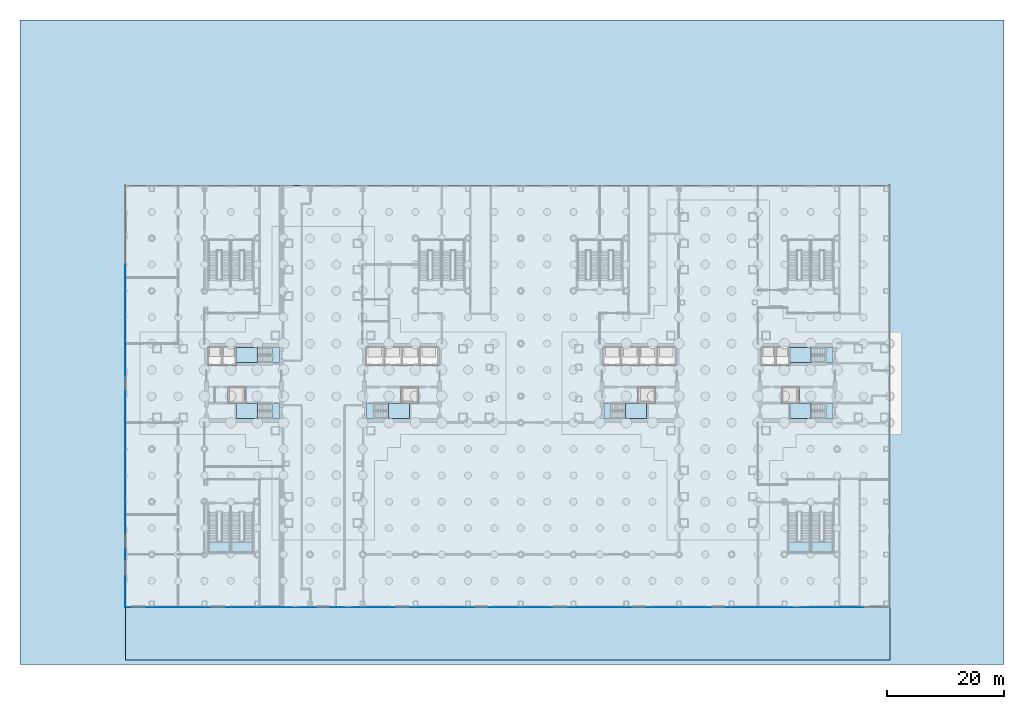
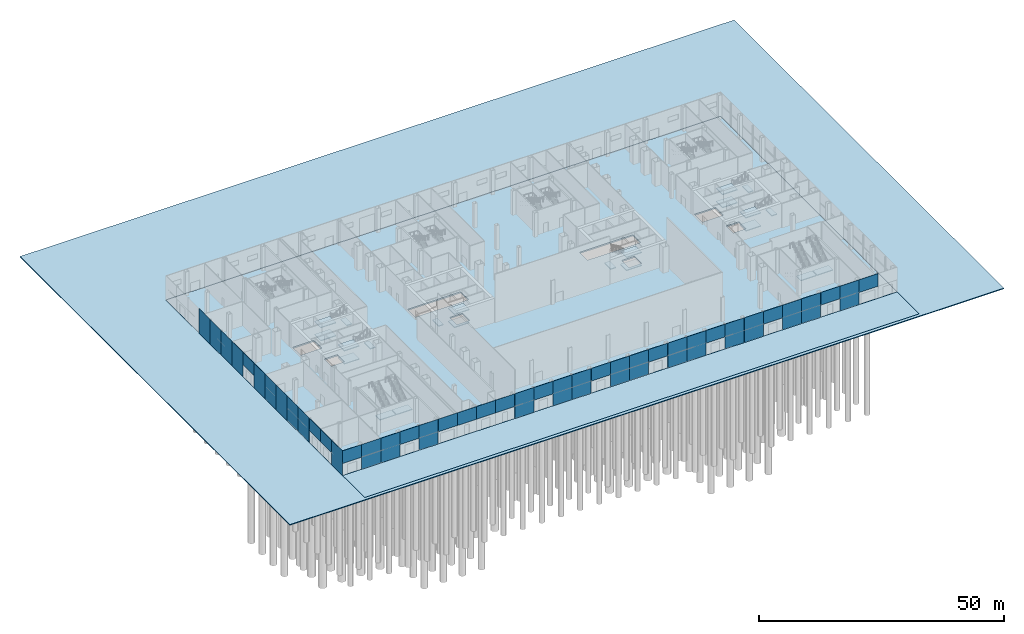
# One storey, part 15 of 37: 41 plates, 25 slabs, 12 elements without a shape of their own.
"""IFC4 building model written with IfcOpenShell, lengths in metres."""

import ifcopenshell
import ifcopenshell.guid

model = None  # the IFC model being written
_history = None  # IfcOwnerHistory: only IFC2X3 demands one
_inside = {}  # id of a spatial element -> (the spatial element, [elements in it])
_under = {}  # id of a project, library or spatial element -> (it, [spatial elements below it])
_declared = {}  # id of a project -> (the project, [libraries it declares])
_typed = {}  # id of a type object -> (the type object, [elements of that type])
_made_of = {}  # id of a material, layer set ... -> (it, [elements and type objects made of it])


def new_model(schema):
    """Start an empty IFC model of exactly this schema.

    Asked for "IFC4X3", IfcOpenShell would pick the latest addendum, in which some entities
    have other attributes; the version numbers below select the first issue.
    IFC2X3 requires an IfcOwnerHistory on every rooted entity: one is made here for all.
    """
    global model, _history
    if schema == "IFC4X3":
        model = ifcopenshell.file(schema_version=(4, 3, 0, 0))
    else:
        model = ifcopenshell.file(schema=schema)
    _inside.clear()
    _under.clear()
    _declared.clear()
    _typed.clear()
    _made_of.clear()
    _history = None
    if model.schema == "IFC2X3":
        org = make("IfcOrganization", Name="unknown")
        user = make(
            "IfcPersonAndOrganization",
            ThePerson=make("IfcPerson", FamilyName="unknown"),
            TheOrganization=org,
        )
        app = make(
            "IfcApplication",
            ApplicationDeveloper=org,
            Version="unknown",
            ApplicationFullName="unknown",
            ApplicationIdentifier="unknown",
        )
        _history = make(
            "IfcOwnerHistory",
            OwningUser=user,
            OwningApplication=app,
            ChangeAction="ADDED",
            CreationDate=0,
        )
    return model


def make(cls, **values):
    """One entity of the class cls with the attributes given. An attribute that is None is left unset."""
    return model.create_entity(
        cls, **{name: value for name, value in values.items() if value is not None}
    )


def rooted(cls, **values):
    """An entity with a GlobalId (a new one), such as an element, a storey or a relation."""
    return make(cls, GlobalId=ifcopenshell.guid.new(), OwnerHistory=_history, **values)


def si_unit(unit_type, name, prefix=None):
    """IfcSIUnit, for example si_unit("LENGTHUNIT", "METRE", prefix="MILLI")."""
    return make("IfcSIUnit", UnitType=unit_type, Prefix=prefix, Name=name)


def assignment(units):
    """IfcUnitAssignment: the units of a project."""
    return None if units is None else make("IfcUnitAssignment", Units=units)


def point(xyz):
    """IfcCartesianPoint."""
    return None if xyz is None else make("IfcCartesianPoint", Coordinates=xyz)


def direction(xyz):
    """IfcDirection."""
    return None if xyz is None else make("IfcDirection", DirectionRatios=xyz)


def frame(location, z_axis=None, x_axis=None):
    """IfcAxis2Placement3D, a coordinate frame: its origin and axes. An axis left out is left unset."""
    return make(
        "IfcAxis2Placement3D",
        Location=point(location),
        Axis=direction(z_axis),
        RefDirection=direction(x_axis),
    )


def frame_2d(location, x_axis=None):
    """IfcAxis2Placement2D, a coordinate frame in the plane: its origin and x axis."""
    return make(
        "IfcAxis2Placement2D", Location=point(location), RefDirection=direction(x_axis)
    )


def origin():
    """The frame at (0, 0, 0) with its axes left unset."""
    return frame((0.0, 0.0, 0.0))


def origin_2d():
    """The frame at (0, 0) in the plane with its x axis left unset."""
    return frame_2d((0.0, 0.0))


def place(relative_to, where):
    """IfcLocalPlacement: puts the frame where relative to a parent placement (None: the world)."""
    return make(
        "IfcLocalPlacement", PlacementRelTo=relative_to, RelativePlacement=where
    )


def context(
    kind, dimensions, precision=None, world=None, true_north=None, identifier=None
):
    """IfcGeometricRepresentationContext, for example the 3D "Model" context."""
    return make(
        "IfcGeometricRepresentationContext",
        ContextIdentifier=identifier,
        ContextType=kind,
        CoordinateSpaceDimension=dimensions,
        Precision=precision,
        WorldCoordinateSystem=world,
        TrueNorth=true_north,
    )


def subcontext(parent, identifier, kind, view, scale=None):
    """IfcGeometricRepresentationSubContext, for example "Body" below "Model"."""
    return make(
        "IfcGeometricRepresentationSubContext",
        ContextIdentifier=identifier,
        ContextType=kind,
        ParentContext=parent,
        TargetScale=scale,
        TargetView=view,
    )


def project(units=None, contexts=None):
    """IfcProject with its units and contexts."""
    return rooted(
        "IfcProject",
        Name="project",
        RepresentationContexts=contexts,
        UnitsInContext=assignment(units),
    )


def spatial(cls, under=None, at=None, **own):
    """A site, building, storey or space (cls), placed at a placement, below another one or the project."""
    s = rooted(cls, ObjectPlacement=at, **own)
    if under is not None:
        _under.setdefault(under.id(), (under, []))[1].append(s)
    return s


def polyline(points):
    """IfcPolyline through the points."""
    return make("IfcPolyline", Points=[point(p) for p in points])


def profile(cls, at=None, kind="AREA", **sizes):
    """A parametric profile (cls). Its sizes go by their IFC names, for example OverallWidth=200.0."""
    return make(cls, ProfileType=kind, Position=at, **sizes)


def rectangle(**sizes):
    """IfcRectangleProfileDef."""
    return profile("IfcRectangleProfileDef", **sizes)


def outline(outer, holes=None, kind="AREA"):
    """IfcArbitraryClosedProfileDef: a profile drawn as a closed curve; with holes, ...WithVoids."""
    if holes is None:
        return make("IfcArbitraryClosedProfileDef", ProfileType=kind, OuterCurve=outer)
    return make(
        "IfcArbitraryProfileDefWithVoids",
        ProfileType=kind,
        OuterCurve=outer,
        InnerCurves=holes,
    )


def extrude(swept, where, along, depth):
    """IfcExtrudedAreaSolid: the profile swept, set in the frame where, extruded along a direction by depth."""
    return make(
        "IfcExtrudedAreaSolid",
        SweptArea=swept,
        Position=where,
        ExtrudedDirection=direction(along),
        Depth=depth,
    )


def shape(context_of_items, identifier, shape_type, items):
    """IfcShapeRepresentation: the items that make up one representation, for example the "Body"."""
    return make(
        "IfcShapeRepresentation",
        ContextOfItems=context_of_items,
        RepresentationIdentifier=identifier,
        RepresentationType=shape_type,
        Items=items,
    )


def material(Name=None, Category=None):
    """IfcMaterial."""
    return make("IfcMaterial", Name=Name, Category=Category)


def layer(
    of_material, thickness, ventilated=None, Name=None, Category=None, Priority=None
):
    """IfcMaterialLayer: one layer of a wall or slab, of a material (None: an air gap)."""
    return make(
        "IfcMaterialLayer",
        Material=of_material,
        LayerThickness=thickness,
        IsVentilated=ventilated,
        Name=Name,
        Category=Category,
        Priority=Priority,
    )


def layer_set(layers, Name=None):
    """IfcMaterialLayerSet."""
    return make("IfcMaterialLayerSet", MaterialLayers=layers, LayerSetName=Name)


def made_of(thing, what):
    """Note that an element or type object is made of a material, layer set ...; save() writes the relation."""
    if what is not None:
        _made_of.setdefault(what.id(), (what, []))[1].append(thing)
    return thing


def type_object(cls, material=None, **own):
    """A type object (cls), such as IfcWallType, which elements share."""
    return made_of(rooted(cls, **own), material)


def element(
    cls,
    number,
    at=None,
    inside=None,
    cuts=None,
    type_object=None,
    material=None,
    context=None,
    identifier="Body",
    shape_type=None,
    held_by="IfcProductDefinitionShape",
    body=None,
    shapes=None,
    **own,
):
    """One element of the class cls, such as IfcWall. Its Tag is "e" and its number.

    at: its placement. inside: the storey or other place that contains it. cuts: it is an
    opening in that element (IfcRelVoidsElement). A single representation is given by context,
    identifier, shape_type and body (its items); several are given by shapes. held_by: the class
    of the entity that holds the representations. save() writes the other relations.
    """
    e = rooted(cls, Tag="e%d" % number, ObjectPlacement=at, **own)
    if body is not None:
        shapes = [shape(context, identifier, shape_type, body)]
    if shapes is not None:
        e.Representation = make(held_by, Representations=shapes)
    if inside is not None:
        _inside.setdefault(inside.id(), (inside, []))[1].append(e)
    if cuts is not None:
        rooted(
            "IfcRelVoidsElement", RelatingBuildingElement=cuts, RelatedOpeningElement=e
        )
    if type_object is not None:
        _typed.setdefault(type_object.id(), (type_object, []))[1].append(e)
    return made_of(e, material)


def aggregate(whole, parts):
    """IfcRelAggregates: a whole, such as a stair, and the parts it consists of."""
    return rooted("IfcRelAggregates", RelatingObject=whole, RelatedObjects=parts)


def save(model, path):
    """Write the relations noted so far, then the file.

    IfcRelAggregates (storeys below a building ...), IfcRelContainedInSpatialStructure (elements
    in a storey), IfcRelDefinesByType, IfcRelAssociatesMaterial and IfcRelDeclares: one each for
    every whole, place, type object, material and project.
    """
    for whole, parts in _under.values():
        aggregate(whole, parts)
    for where, things in _inside.values():
        rooted(
            "IfcRelContainedInSpatialStructure",
            RelatedElements=things,
            RelatingStructure=where,
        )
    for kind, things in _typed.values():
        rooted("IfcRelDefinesByType", RelatedObjects=things, RelatingType=kind)
    for what, things in _made_of.values():
        rooted("IfcRelAssociatesMaterial", RelatedObjects=things, RelatingMaterial=what)
    for by, libraries in _declared.values():
        rooted("IfcRelDeclares", RelatingContext=by, RelatedDefinitions=libraries)
    model.write(path)


model = new_model("IFC4")

# Units and contexts
model_context = context("Model", 3, precision=1e-05, world=origin(), true_north=direction((0.0, 1.0)))
body_context = subcontext(model_context, "Body", "Model", "MODEL_VIEW")
ifc_project = project(units=[si_unit("LENGTHUNIT", "METRE"), si_unit("AREAUNIT", "SQUARE_METRE"), si_unit("VOLUMEUNIT", "CUBIC_METRE"), si_unit("PLANEANGLEUNIT", "RADIAN"), si_unit("MASSUNIT", "GRAM", prefix="KILO")], contexts=[model_context])

# Site, building, storey
site_placement = place(None, origin())
site = spatial("IfcSite", under=ifc_project, at=site_placement, CompositionType="ELEMENT")
building_placement = place(site_placement, origin())
building = spatial("IfcBuilding", under=site, at=building_placement, Name="Shamsa Quay Exchange Towers", CompositionType="ELEMENT")
storey_placement = place(building_placement, origin())
storey = spatial("IfcBuildingStorey", under=building, at=storey_placement, Name="L00", CompositionType="ELEMENT", Elevation=0.0)

# Stair, slabs
ifc_material_1 = material(Name="Concrete C40/50", Category="concrete")
stair_type_1 = type_object("IfcStairType", Name="EXIT STAIR 40 RISERS 162 MM", PredefinedType="HALF_TURN_STAIR", material=ifc_material_1)
stair_1_placement = place(storey_placement, origin())
stair_1 = element("IfcStair", 1, at=stair_1_placement, inside=storey, type_object=stair_type_1, Name="L00 Exit stair ST1", PredefinedType="HALF_TURN_STAIR")
ifc_layer_1 = layer(ifc_material_1, 0.199951171875)
ifc_layer_set_1 = layer_set([ifc_layer_1], Name="CORE STAIR LANDING")
slab_type_1 = type_object("IfcSlabType", Name="CORE STAIR LANDING", PredefinedType="LANDING", material=ifc_layer_set_1)
slab_1_placement = place(storey_placement, frame((0.0, 0.0, 1.425048828125)))
slab_1 = element("IfcSlab", 2, at=slab_1_placement, type_object=slab_type_1, Name="ST1 landing 1", PredefinedType="LANDING", context=body_context, shape_type="SweptSolid", body=[
    extrude(outline(polyline([(-22.580078125, -6.050048828125), (-19.0, -6.050048828125), (-19.0, -3.5), (-22.580078125, -3.5), (-22.580078125, -6.050048828125)])), origin(), (0.0, 0.0, 1.0), 0.199951171875),
])
slab_2_placement = place(storey_placement, frame((0.0, 0.0, 3.050048828125)))
slab_2 = element("IfcSlab", 3, at=slab_2_placement, type_object=slab_type_1, Name="ST1 landing 2", PredefinedType="LANDING", context=body_context, shape_type="SweptSolid", body=[
    extrude(outline(polyline([(-26.300048828125, -6.050048828125), (-25.10009765625, -6.050048828125), (-25.10009765625, -3.5), (-26.300048828125, -3.5), (-26.300048828125, -6.050048828125)])), origin(), (0.0, 0.0, 1.0), 0.199951171875),
])
slab_3_placement = place(storey_placement, frame((0.0, 0.0, 4.675048828125)))
slab_3 = element("IfcSlab", 4, at=slab_3_placement, type_object=slab_type_1, Name="ST1 landing 3", PredefinedType="LANDING", context=body_context, shape_type="SweptSolid", body=[
    extrude(outline(polyline([(-22.580078125, -6.050048828125), (-19.0, -6.050048828125), (-19.0, -3.5), (-22.580078125, -3.5), (-22.580078125, -6.050048828125)])), origin(), (0.0, 0.0, 1.0), 0.199951171875),
])
aggregate(stair_1, [slab_1, slab_2, slab_3])

stair_2_placement = place(storey_placement, origin())
stair_2 = element("IfcStair", 5, at=stair_2_placement, inside=storey, type_object=stair_type_1, Name="L00 Exit stair ST2", PredefinedType="HALF_TURN_STAIR")
slab_4_placement = place(storey_placement, frame((0.0, 0.0, 1.425048828125)))
slab_4 = element("IfcSlab", 6, at=slab_4_placement, type_object=slab_type_1, Name="ST2 landing 1", PredefinedType="LANDING", context=body_context, shape_type="SweptSolid", body=[
    extrude(outline(polyline([(-44.919921875, -3.5), (-48.5, -3.5), (-48.5, -6.050048828125), (-44.919921875, -6.050048828125), (-44.919921875, -3.5)])), origin(), (0.0, 0.0, 1.0), 0.199951171875),
])
slab_5_placement = place(storey_placement, frame((0.0, 0.0, 3.050048828125)))
slab_5 = element("IfcSlab", 7, at=slab_5_placement, type_object=slab_type_1, Name="ST2 landing 2", PredefinedType="LANDING", context=body_context, shape_type="SweptSolid", body=[
    extrude(outline(polyline([(-41.199951171875, -3.5), (-42.39990234375, -3.5), (-42.39990234375, -6.050048828125), (-41.199951171875, -6.050048828125), (-41.199951171875, -3.5)])), origin(), (0.0, 0.0, 1.0), 0.199951171875),
])
slab_6_placement = place(storey_placement, frame((0.0, 0.0, 4.675048828125)))
slab_6 = element("IfcSlab", 8, at=slab_6_placement, type_object=slab_type_1, Name="ST2 landing 3", PredefinedType="LANDING", context=body_context, shape_type="SweptSolid", body=[
    extrude(outline(polyline([(-44.919921875, -3.5), (-48.5, -3.5), (-48.5, -6.050048828125), (-44.919921875, -6.050048828125), (-44.919921875, -3.5)])), origin(), (0.0, 0.0, 1.0), 0.199951171875),
])
aggregate(stair_2, [slab_4, slab_5, slab_6])

stair_3_placement = place(storey_placement, origin())
stair_3 = element("IfcStair", 9, at=stair_3_placement, inside=storey, type_object=stair_type_1, Name="L00 Exit stair ST3", PredefinedType="HALF_TURN_STAIR")
slab_7_placement = place(storey_placement, frame((0.0, 0.0, 1.425048828125)))
slab_7 = element("IfcSlab", 10, at=slab_7_placement, type_object=slab_type_1, Name="ST3 landing 1", PredefinedType="LANDING", context=body_context, shape_type="SweptSolid", body=[
    extrude(outline(polyline([(-44.919921875, 6.050048828125), (-48.5, 6.050048828125), (-48.5, 3.5), (-44.919921875, 3.5), (-44.919921875, 6.050048828125)])), origin(), (0.0, 0.0, 1.0), 0.199951171875),
])
slab_8_placement = place(storey_placement, frame((0.0, 0.0, 3.050048828125)))
slab_8 = element("IfcSlab", 11, at=slab_8_placement, type_object=slab_type_1, Name="ST3 landing 2", PredefinedType="LANDING", context=body_context, shape_type="SweptSolid", body=[
    extrude(outline(polyline([(-41.199951171875, 6.050048828125), (-42.39990234375, 6.050048828125), (-42.39990234375, 3.5), (-41.199951171875, 3.5), (-41.199951171875, 6.050048828125)])), origin(), (0.0, 0.0, 1.0), 0.199951171875),
])
slab_9_placement = place(storey_placement, frame((0.0, 0.0, 4.675048828125)))
slab_9 = element("IfcSlab", 12, at=slab_9_placement, type_object=slab_type_1, Name="ST3 landing 3", PredefinedType="LANDING", context=body_context, shape_type="SweptSolid", body=[
    extrude(outline(polyline([(-44.919921875, 6.050048828125), (-48.5, 6.050048828125), (-48.5, 3.5), (-44.919921875, 3.5), (-44.919921875, 6.050048828125)])), origin(), (0.0, 0.0, 1.0), 0.199951171875),
])
aggregate(stair_3, [slab_7, slab_8, slab_9])

stair_4_placement = place(storey_placement, origin())
stair_4 = element("IfcStair", 13, at=stair_4_placement, inside=storey, type_object=stair_type_1, Name="L00 Exit stair ST4", PredefinedType="HALF_TURN_STAIR")
slab_10_placement = place(storey_placement, frame((0.0, 0.0, 1.425048828125)))
slab_10 = element("IfcSlab", 14, at=slab_10_placement, type_object=slab_type_1, Name="ST4 landing 1", PredefinedType="LANDING", context=body_context, shape_type="SweptSolid", body=[
    extrude(outline(polyline([(17.919921875, -6.050048828125), (21.5, -6.050048828125), (21.5, -3.5), (17.919921875, -3.5), (17.919921875, -6.050048828125)])), origin(), (0.0, 0.0, 1.0), 0.199951171875),
])
slab_11_placement = place(storey_placement, frame((0.0, 0.0, 3.050048828125)))
slab_11 = element("IfcSlab", 15, at=slab_11_placement, type_object=slab_type_1, Name="ST4 landing 2", PredefinedType="LANDING", context=body_context, shape_type="SweptSolid", body=[
    extrude(outline(polyline([(14.199951171875, -6.050048828125), (15.39990234375, -6.050048828125), (15.39990234375, -3.5), (14.199951171875, -3.5), (14.199951171875, -6.050048828125)])), origin(), (0.0, 0.0, 1.0), 0.199951171875),
])
slab_12_placement = place(storey_placement, frame((0.0, 0.0, 4.675048828125)))
slab_12 = element("IfcSlab", 16, at=slab_12_placement, type_object=slab_type_1, Name="ST4 landing 3", PredefinedType="LANDING", context=body_context, shape_type="SweptSolid", body=[
    extrude(outline(polyline([(17.919921875, -6.050048828125), (21.5, -6.050048828125), (21.5, -3.5), (17.919921875, -3.5), (17.919921875, -6.050048828125)])), origin(), (0.0, 0.0, 1.0), 0.199951171875),
])
aggregate(stair_4, [slab_10, slab_11, slab_12])

stair_5_placement = place(storey_placement, origin())
stair_5 = element("IfcStair", 17, at=stair_5_placement, inside=storey, type_object=stair_type_1, Name="L00 Exit stair ST5", PredefinedType="HALF_TURN_STAIR")
slab_13_placement = place(storey_placement, frame((0.0, 0.0, 1.425048828125)))
slab_13 = element("IfcSlab", 18, at=slab_13_placement, type_object=slab_type_1, Name="ST5 landing 1", PredefinedType="LANDING", context=body_context, shape_type="SweptSolid", body=[
    extrude(outline(polyline([(49.580078125, -3.5), (46.0, -3.5), (46.0, -6.050048828125), (49.580078125, -6.050048828125), (49.580078125, -3.5)])), origin(), (0.0, 0.0, 1.0), 0.199951171875),
])
slab_14_placement = place(storey_placement, frame((0.0, 0.0, 3.050048828125)))
slab_14 = element("IfcSlab", 19, at=slab_14_placement, type_object=slab_type_1, Name="ST5 landing 2", PredefinedType="LANDING", context=body_context, shape_type="SweptSolid", body=[
    extrude(outline(polyline([(53.300048828125, -3.5), (52.10009765625, -3.5), (52.10009765625, -6.050048828125), (53.300048828125, -6.050048828125), (53.300048828125, -3.5)])), origin(), (0.0, 0.0, 1.0), 0.199951171875),
])
slab_15_placement = place(storey_placement, frame((0.0, 0.0, 4.675048828125)))
slab_15 = element("IfcSlab", 20, at=slab_15_placement, type_object=slab_type_1, Name="ST5 landing 3", PredefinedType="LANDING", context=body_context, shape_type="SweptSolid", body=[
    extrude(outline(polyline([(49.580078125, -3.5), (46.0, -3.5), (46.0, -6.050048828125), (49.580078125, -6.050048828125), (49.580078125, -3.5)])), origin(), (0.0, 0.0, 1.0), 0.199951171875),
])
aggregate(stair_5, [slab_13, slab_14, slab_15])

stair_6_placement = place(storey_placement, origin())
stair_6 = element("IfcStair", 21, at=stair_6_placement, inside=storey, type_object=stair_type_1, Name="L00 Exit stair ST6", PredefinedType="HALF_TURN_STAIR")
slab_16_placement = place(storey_placement, frame((0.0, 0.0, 1.425048828125)))
slab_16 = element("IfcSlab", 22, at=slab_16_placement, type_object=slab_type_1, Name="ST6 landing 1", PredefinedType="LANDING", context=body_context, shape_type="SweptSolid", body=[
    extrude(outline(polyline([(49.580078125, 6.050048828125), (46.0, 6.050048828125), (46.0, 3.5), (49.580078125, 3.5), (49.580078125, 6.050048828125)])), origin(), (0.0, 0.0, 1.0), 0.199951171875),
])
slab_17_placement = place(storey_placement, frame((0.0, 0.0, 3.050048828125)))
slab_17 = element("IfcSlab", 23, at=slab_17_placement, type_object=slab_type_1, Name="ST6 landing 2", PredefinedType="LANDING", context=body_context, shape_type="SweptSolid", body=[
    extrude(outline(polyline([(53.300048828125, 6.050048828125), (52.10009765625, 6.050048828125), (52.10009765625, 3.5), (53.300048828125, 3.5), (53.300048828125, 6.050048828125)])), origin(), (0.0, 0.0, 1.0), 0.199951171875),
])
slab_18_placement = place(storey_placement, frame((0.0, 0.0, 4.675048828125)))
slab_18 = element("IfcSlab", 24, at=slab_18_placement, type_object=slab_type_1, Name="ST6 landing 3", PredefinedType="LANDING", context=body_context, shape_type="SweptSolid", body=[
    extrude(outline(polyline([(49.580078125, 6.050048828125), (46.0, 6.050048828125), (46.0, 3.5), (49.580078125, 3.5), (49.580078125, 6.050048828125)])), origin(), (0.0, 0.0, 1.0), 0.199951171875),
])
aggregate(stair_6, [slab_16, slab_17, slab_18])

# Stair, slab
stair_type_2 = type_object("IfcStairType", Name="PODIUM EXIT STAIR 38 RISERS 171 MM 1500 WIDE", PredefinedType="HALF_TURN_STAIR", material=ifc_material_1)
stair_7_placement = place(storey_placement, origin())
stair_7 = element("IfcStair", 25, at=stair_7_placement, inside=storey, type_object=stair_type_2, Name="L00 Exit stair PS5A", PredefinedType="HALF_TURN_STAIR")
slab_19_placement = place(storey_placement, frame((0.0, 0.0, 3.050048828125)))
slab_19 = element("IfcSlab", 26, at=slab_19_placement, type_object=slab_type_1, Name="PS5A landing 1", PredefinedType="LANDING", context=body_context, shape_type="SweptSolid", body=[
    extrude(outline(polyline([(-53.300048828125, -27.090087890625), (-53.300048828125, -28.949951171875), (-49.574951171875, -28.949951171875), (-49.574951171875, -27.090087890625), (-53.300048828125, -27.090087890625)])), origin(), (0.0, 0.0, 1.0), 0.199951171875),
])
aggregate(stair_7, [slab_19])

stair_8_placement = place(storey_placement, origin())
stair_8 = element("IfcStair", 27, at=stair_8_placement, inside=storey, type_object=stair_type_2, Name="L00 Exit stair PS5B", PredefinedType="HALF_TURN_STAIR")
slab_20_placement = place(storey_placement, frame((0.0, 0.0, 3.050048828125)))
slab_20 = element("IfcSlab", 28, at=slab_20_placement, type_object=slab_type_1, Name="PS5B landing 1", PredefinedType="LANDING", context=body_context, shape_type="SweptSolid", body=[
    extrude(outline(polyline([(-49.425048828125, -27.090087890625), (-49.425048828125, -28.949951171875), (-45.699951171875, -28.949951171875), (-45.699951171875, -27.090087890625), (-49.425048828125, -27.090087890625)])), origin(), (0.0, 0.0, 1.0), 0.199951171875),
])
aggregate(stair_8, [slab_20])

stair_9_placement = place(storey_placement, origin())
stair_9 = element("IfcStair", 29, at=stair_9_placement, inside=storey, type_object=stair_type_2, Name="L00 Exit stair PS6A", PredefinedType="HALF_TURN_STAIR")
slab_21_placement = place(storey_placement, frame((0.0, 0.0, 3.050048828125)))
slab_21 = element("IfcSlab", 30, at=slab_21_placement, type_object=slab_type_1, Name="PS6A landing 1", PredefinedType="LANDING", context=body_context, shape_type="SweptSolid", body=[
    extrude(outline(polyline([(45.699951171875, -27.090087890625), (45.699951171875, -28.949951171875), (49.425048828125, -28.949951171875), (49.425048828125, -27.090087890625), (45.699951171875, -27.090087890625)])), origin(), (0.0, 0.0, 1.0), 0.199951171875),
])
aggregate(stair_9, [slab_21])

stair_10_placement = place(storey_placement, origin())
stair_10 = element("IfcStair", 31, at=stair_10_placement, inside=storey, type_object=stair_type_2, Name="L00 Exit stair PS6B", PredefinedType="HALF_TURN_STAIR")
slab_22_placement = place(storey_placement, frame((0.0, 0.0, 3.050048828125)))
slab_22 = element("IfcSlab", 32, at=slab_22_placement, type_object=slab_type_1, Name="PS6B landing 1", PredefinedType="LANDING", context=body_context, shape_type="SweptSolid", body=[
    extrude(outline(polyline([(49.574951171875, -27.090087890625), (49.574951171875, -28.949951171875), (53.300048828125, -28.949951171875), (53.300048828125, -27.090087890625), (49.574951171875, -27.090087890625)])), origin(), (0.0, 0.0, 1.0), 0.199951171875),
])
aggregate(stair_10, [slab_22])

# Curtain wall, plates
ifc_material_2 = material(Name="Aluminium EN AW-6063 T6, black anodised", Category="aluminium")
ifc_layer_2 = layer(ifc_material_2, 0.33203125)
ifc_layer_set_2 = layer_set([ifc_layer_2], Name="CW-3 PODIUM SHOPFRONT GLAZING")
curtain_wall_type = type_object("IfcCurtainWallType", Name="CW-3 PODIUM SHOPFRONT GLAZING", PredefinedType="NOTDEFINED", material=ifc_layer_set_2)
curtain_wall_1_placement = place(storey_placement, origin())
curtain_wall_1 = element("IfcCurtainWall", 33, at=curtain_wall_1_placement, inside=storey, type_object=curtain_wall_type, Name="CW3 PODIUM-L00-F02", PredefinedType="NOTDEFINED")
ifc_material_3 = material(Name="Glass, laminated, impact rated, clear low iron", Category="glass")
ifc_layer_3 = layer(ifc_material_3, 0.031982421875)
ifc_layer_set_3 = layer_set([ifc_layer_3], Name="CW-3 SHOPFRONT GLASS 32")
plate_type = type_object("IfcPlateType", Name="CW-3 SHOPFRONT GLASS 32", PredefinedType="CURTAIN_PANEL", material=ifc_layer_set_3)
plate_1_placement = place(storey_placement, frame((-67.51611328125, 18.0, 0.0), z_axis=(0.0, 0.0, 1.0), x_axis=(0.0, -1.0, 0.0)))
plate_1 = element("IfcPlate", 34, at=plate_1_placement, type_object=plate_type, Name="CW3 glass panel", PredefinedType="CURTAIN_PANEL", context=body_context, shape_type="SweptSolid", body=[
    extrude(rectangle(XDim=4.489990234375, YDim=0.031982421875, at=origin_2d()), origin(), (0.0, 0.0, 1.0), 6.14990234375),
])
plate_2_placement = place(storey_placement, frame((-67.51611328125, 13.5, 0.0), z_axis=(0.0, 0.0, 1.0), x_axis=(0.0, -1.0, 0.0)))
plate_2 = element("IfcPlate", 35, at=plate_2_placement, type_object=plate_type, Name="CW3 glass panel", PredefinedType="CURTAIN_PANEL", context=body_context, shape_type="SweptSolid", body=[
    extrude(rectangle(XDim=4.489990234375, YDim=0.031982421875, at=origin_2d()), origin(), (0.0, 0.0, 1.0), 6.14990234375),
])
plate_3_placement = place(storey_placement, frame((-67.51611328125, 9.0, 0.0), z_axis=(0.0, 0.0, 1.0), x_axis=(0.0, -1.0, 0.0)))
plate_3 = element("IfcPlate", 36, at=plate_3_placement, type_object=plate_type, Name="CW3 glass panel", PredefinedType="CURTAIN_PANEL", context=body_context, shape_type="SweptSolid", body=[
    extrude(rectangle(XDim=4.489990234375, YDim=0.031982421875, at=origin_2d()), origin(), (0.0, 0.0, 1.0), 6.14990234375),
])
plate_4_placement = place(storey_placement, frame((-67.51611328125, 4.5, 0.0), z_axis=(0.0, 0.0, 1.0), x_axis=(0.0, -1.0, 0.0)))
plate_4 = element("IfcPlate", 37, at=plate_4_placement, type_object=plate_type, Name="CW3 glass panel", PredefinedType="CURTAIN_PANEL", context=body_context, shape_type="SweptSolid", body=[
    extrude(rectangle(XDim=4.489990234375, YDim=0.031982421875, at=origin_2d()), origin(), (0.0, 0.0, 1.0), 6.14990234375),
])
plate_5_placement = place(storey_placement, frame((-67.51611328125, 0.0, 3.0), z_axis=(0.0, 0.0, 1.0), x_axis=(0.0, -1.0, 0.0)))
plate_5 = element("IfcPlate", 38, at=plate_5_placement, type_object=plate_type, Name="CW3 glass panel", PredefinedType="CURTAIN_PANEL", context=body_context, shape_type="SweptSolid", body=[
    extrude(rectangle(XDim=4.489990234375, YDim=0.031982421875, at=origin_2d()), origin(), (0.0, 0.0, 1.0), 3.14990234375),
])
plate_6_placement = place(storey_placement, frame((-67.51611328125, -4.5, 0.0), z_axis=(0.0, 0.0, 1.0), x_axis=(0.0, -1.0, 0.0)))
plate_6 = element("IfcPlate", 39, at=plate_6_placement, type_object=plate_type, Name="CW3 glass panel", PredefinedType="CURTAIN_PANEL", context=body_context, shape_type="SweptSolid", body=[
    extrude(rectangle(XDim=4.489990234375, YDim=0.031982421875, at=origin_2d()), origin(), (0.0, 0.0, 1.0), 6.14990234375),
])
plate_7_placement = place(storey_placement, frame((-67.51611328125, -9.0, 0.0), z_axis=(0.0, 0.0, 1.0), x_axis=(0.0, -1.0, 0.0)))
plate_7 = element("IfcPlate", 40, at=plate_7_placement, type_object=plate_type, Name="CW3 glass panel", PredefinedType="CURTAIN_PANEL", context=body_context, shape_type="SweptSolid", body=[
    extrude(rectangle(XDim=4.489990234375, YDim=0.031982421875, at=origin_2d()), origin(), (0.0, 0.0, 1.0), 6.14990234375),
])
plate_8_placement = place(storey_placement, frame((-67.51611328125, -13.5, 0.0), z_axis=(0.0, 0.0, 1.0), x_axis=(0.0, -1.0, 0.0)))
plate_8 = element("IfcPlate", 41, at=plate_8_placement, type_object=plate_type, Name="CW3 glass panel", PredefinedType="CURTAIN_PANEL", context=body_context, shape_type="SweptSolid", body=[
    extrude(rectangle(XDim=4.489990234375, YDim=0.031982421875, at=origin_2d()), origin(), (0.0, 0.0, 1.0), 6.14990234375),
])
plate_9_placement = place(storey_placement, frame((-67.51611328125, -18.0, 0.0), z_axis=(0.0, 0.0, 1.0), x_axis=(0.0, -1.0, 0.0)))
plate_9 = element("IfcPlate", 42, at=plate_9_placement, type_object=plate_type, Name="CW3 glass panel", PredefinedType="CURTAIN_PANEL", context=body_context, shape_type="SweptSolid", body=[
    extrude(rectangle(XDim=4.489990234375, YDim=0.031982421875, at=origin_2d()), origin(), (0.0, 0.0, 1.0), 6.14990234375),
])
plate_10_placement = place(storey_placement, frame((-67.51611328125, -22.5, 0.0), z_axis=(0.0, 0.0, 1.0), x_axis=(0.0, -1.0, 0.0)))
plate_10 = element("IfcPlate", 43, at=plate_10_placement, type_object=plate_type, Name="CW3 glass panel", PredefinedType="CURTAIN_PANEL", context=body_context, shape_type="SweptSolid", body=[
    extrude(rectangle(XDim=4.489990234375, YDim=0.031982421875, at=origin_2d()), origin(), (0.0, 0.0, 1.0), 6.14990234375),
])
plate_11_placement = place(storey_placement, frame((-67.51611328125, -27.0, 3.0), z_axis=(0.0, 0.0, 1.0), x_axis=(0.0, -1.0, 0.0)))
plate_11 = element("IfcPlate", 44, at=plate_11_placement, type_object=plate_type, Name="CW3 glass panel", PredefinedType="CURTAIN_PANEL", context=body_context, shape_type="SweptSolid", body=[
    extrude(rectangle(XDim=4.489990234375, YDim=0.031982421875, at=origin_2d()), origin(), (0.0, 0.0, 1.0), 3.14990234375),
])
plate_12_placement = place(storey_placement, frame((-67.51611328125, -31.5, 3.0), z_axis=(0.0, 0.0, 1.0), x_axis=(0.0, -1.0, 0.0)))
plate_12 = element("IfcPlate", 45, at=plate_12_placement, type_object=plate_type, Name="CW3 glass panel", PredefinedType="CURTAIN_PANEL", context=body_context, shape_type="SweptSolid", body=[
    extrude(rectangle(XDim=4.489990234375, YDim=0.031982421875, at=origin_2d()), origin(), (0.0, 0.0, 1.0), 3.14990234375),
])
plate_13_placement = place(storey_placement, frame((-67.51611328125, -36.00244140625, 0.0), z_axis=(0.0, 0.0, 1.0), x_axis=(0.0, -1.0, 0.0)))
plate_13 = element("IfcPlate", 46, at=plate_13_placement, type_object=plate_type, Name="CW3 glass panel", PredefinedType="CURTAIN_PANEL", context=body_context, shape_type="SweptSolid", body=[
    extrude(rectangle(XDim=4.4951171875, YDim=0.031982421875, at=origin_2d()), origin(), (0.0, 0.0, 1.0), 6.14990234375),
])
aggregate(curtain_wall_1, [plate_1, plate_2, plate_3, plate_4, plate_5, plate_6, plate_7, plate_8, plate_9, plate_10, plate_11, plate_12, plate_13])

curtain_wall_2_placement = place(storey_placement, origin())
curtain_wall_2 = element("IfcCurtainWall", 47, at=curtain_wall_2_placement, inside=storey, type_object=curtain_wall_type, Name="CW3 PODIUM-L00-F03", PredefinedType="NOTDEFINED")
plate_14_placement = place(storey_placement, frame((-65.25244140625, -38.26611328125, 3.0)))
plate_14 = element("IfcPlate", 48, at=plate_14_placement, type_object=plate_type, Name="CW3 glass panel", PredefinedType="CURTAIN_PANEL", context=body_context, shape_type="SweptSolid", body=[
    extrude(rectangle(XDim=4.4951171875, YDim=0.031982421875, at=origin_2d()), origin(), (0.0, 0.0, 1.0), 3.14990234375),
])
plate_15_placement = place(storey_placement, frame((-60.75, -38.26611328125, 0.0)))
plate_15 = element("IfcPlate", 49, at=plate_15_placement, type_object=plate_type, Name="CW3 glass panel", PredefinedType="CURTAIN_PANEL", context=body_context, shape_type="SweptSolid", body=[
    extrude(rectangle(XDim=4.489990234375, YDim=0.031982421875, at=origin_2d()), origin(), (0.0, 0.0, 1.0), 6.14990234375),
])
plate_16_placement = place(storey_placement, frame((-56.25, -38.26611328125, 0.0)))
plate_16 = element("IfcPlate", 50, at=plate_16_placement, type_object=plate_type, Name="CW3 glass panel", PredefinedType="CURTAIN_PANEL", context=body_context, shape_type="SweptSolid", body=[
    extrude(rectangle(XDim=4.489990234375, YDim=0.031982421875, at=origin_2d()), origin(), (0.0, 0.0, 1.0), 6.14990234375),
])
plate_17_placement = place(storey_placement, frame((-51.75, -38.26611328125, 3.0)))
plate_17 = element("IfcPlate", 51, at=plate_17_placement, type_object=plate_type, Name="CW3 glass panel", PredefinedType="CURTAIN_PANEL", context=body_context, shape_type="SweptSolid", body=[
    extrude(rectangle(XDim=4.489990234375, YDim=0.031982421875, at=origin_2d()), origin(), (0.0, 0.0, 1.0), 3.14990234375),
])
plate_18_placement = place(storey_placement, frame((-47.25, -38.26611328125, 0.0)))
plate_18 = element("IfcPlate", 52, at=plate_18_placement, type_object=plate_type, Name="CW3 glass panel", PredefinedType="CURTAIN_PANEL", context=body_context, shape_type="SweptSolid", body=[
    extrude(rectangle(XDim=4.489990234375, YDim=0.031982421875, at=origin_2d()), origin(), (0.0, 0.0, 1.0), 6.14990234375),
])
plate_19_placement = place(storey_placement, frame((-42.75, -38.26611328125, 3.0)))
plate_19 = element("IfcPlate", 53, at=plate_19_placement, type_object=plate_type, Name="CW3 glass panel", PredefinedType="CURTAIN_PANEL", context=body_context, shape_type="SweptSolid", body=[
    extrude(rectangle(XDim=4.489990234375, YDim=0.031982421875, at=origin_2d()), origin(), (0.0, 0.0, 1.0), 3.14990234375),
])
plate_20_placement = place(storey_placement, frame((-38.25, -38.26611328125, 3.0)))
plate_20 = element("IfcPlate", 54, at=plate_20_placement, type_object=plate_type, Name="CW3 glass panel", PredefinedType="CURTAIN_PANEL", context=body_context, shape_type="SweptSolid", body=[
    extrude(rectangle(XDim=4.489990234375, YDim=0.031982421875, at=origin_2d()), origin(), (0.0, 0.0, 1.0), 3.14990234375),
])
plate_21_placement = place(storey_placement, frame((-33.75, -38.26611328125, 3.0)))
plate_21 = element("IfcPlate", 55, at=plate_21_placement, type_object=plate_type, Name="CW3 glass panel", PredefinedType="CURTAIN_PANEL", context=body_context, shape_type="SweptSolid", body=[
    extrude(rectangle(XDim=4.489990234375, YDim=0.031982421875, at=origin_2d()), origin(), (0.0, 0.0, 1.0), 3.14990234375),
])
plate_22_placement = place(storey_placement, frame((-29.25, -38.26611328125, 3.0)))
plate_22 = element("IfcPlate", 56, at=plate_22_placement, type_object=plate_type, Name="CW3 glass panel", PredefinedType="CURTAIN_PANEL", context=body_context, shape_type="SweptSolid", body=[
    extrude(rectangle(XDim=4.489990234375, YDim=0.031982421875, at=origin_2d()), origin(), (0.0, 0.0, 1.0), 3.14990234375),
])
plate_23_placement = place(storey_placement, frame((-24.75, -38.26611328125, 0.0)))
plate_23 = element("IfcPlate", 57, at=plate_23_placement, type_object=plate_type, Name="CW3 glass panel", PredefinedType="CURTAIN_PANEL", context=body_context, shape_type="SweptSolid", body=[
    extrude(rectangle(XDim=4.489990234375, YDim=0.031982421875, at=origin_2d()), origin(), (0.0, 0.0, 1.0), 6.14990234375),
])
plate_24_placement = place(storey_placement, frame((-20.25, -38.26611328125, 3.0)))
plate_24 = element("IfcPlate", 58, at=plate_24_placement, type_object=plate_type, Name="CW3 glass panel", PredefinedType="CURTAIN_PANEL", context=body_context, shape_type="SweptSolid", body=[
    extrude(rectangle(XDim=4.489990234375, YDim=0.031982421875, at=origin_2d()), origin(), (0.0, 0.0, 1.0), 3.14990234375),
])
plate_25_placement = place(storey_placement, frame((-15.75, -38.26611328125, 0.0)))
plate_25 = element("IfcPlate", 59, at=plate_25_placement, type_object=plate_type, Name="CW3 glass panel", PredefinedType="CURTAIN_PANEL", context=body_context, shape_type="SweptSolid", body=[
    extrude(rectangle(XDim=4.489990234375, YDim=0.031982421875, at=origin_2d()), origin(), (0.0, 0.0, 1.0), 6.14990234375),
])
plate_26_placement = place(storey_placement, frame((-11.25, -38.26611328125, 0.0)))
plate_26 = element("IfcPlate", 60, at=plate_26_placement, type_object=plate_type, Name="CW3 glass panel", PredefinedType="CURTAIN_PANEL", context=body_context, shape_type="SweptSolid", body=[
    extrude(rectangle(XDim=4.489990234375, YDim=0.031982421875, at=origin_2d()), origin(), (0.0, 0.0, 1.0), 6.14990234375),
])
plate_27_placement = place(storey_placement, frame((-6.75, -38.26611328125, 3.0)))
plate_27 = element("IfcPlate", 61, at=plate_27_placement, type_object=plate_type, Name="CW3 glass panel", PredefinedType="CURTAIN_PANEL", context=body_context, shape_type="SweptSolid", body=[
    extrude(rectangle(XDim=4.489990234375, YDim=0.031982421875, at=origin_2d()), origin(), (0.0, 0.0, 1.0), 3.14990234375),
])
plate_28_placement = place(storey_placement, frame((-2.25, -38.26611328125, 0.0)))
plate_28 = element("IfcPlate", 62, at=plate_28_placement, type_object=plate_type, Name="CW3 glass panel", PredefinedType="CURTAIN_PANEL", context=body_context, shape_type="SweptSolid", body=[
    extrude(rectangle(XDim=4.489990234375, YDim=0.031982421875, at=origin_2d()), origin(), (0.0, 0.0, 1.0), 6.14990234375),
])
plate_29_placement = place(storey_placement, frame((2.25, -38.26611328125, 0.0)))
plate_29 = element("IfcPlate", 63, at=plate_29_placement, type_object=plate_type, Name="CW3 glass panel", PredefinedType="CURTAIN_PANEL", context=body_context, shape_type="SweptSolid", body=[
    extrude(rectangle(XDim=4.489990234375, YDim=0.031982421875, at=origin_2d()), origin(), (0.0, 0.0, 1.0), 6.14990234375),
])
plate_30_placement = place(storey_placement, frame((6.75, -38.26611328125, 3.0)))
plate_30 = element("IfcPlate", 64, at=plate_30_placement, type_object=plate_type, Name="CW3 glass panel", PredefinedType="CURTAIN_PANEL", context=body_context, shape_type="SweptSolid", body=[
    extrude(rectangle(XDim=4.489990234375, YDim=0.031982421875, at=origin_2d()), origin(), (0.0, 0.0, 1.0), 3.14990234375),
])
plate_31_placement = place(storey_placement, frame((11.25, -38.26611328125, 0.0)))
plate_31 = element("IfcPlate", 65, at=plate_31_placement, type_object=plate_type, Name="CW3 glass panel", PredefinedType="CURTAIN_PANEL", context=body_context, shape_type="SweptSolid", body=[
    extrude(rectangle(XDim=4.489990234375, YDim=0.031982421875, at=origin_2d()), origin(), (0.0, 0.0, 1.0), 6.14990234375),
])
plate_32_placement = place(storey_placement, frame((15.75, -38.26611328125, 0.0)))
plate_32 = element("IfcPlate", 66, at=plate_32_placement, type_object=plate_type, Name="CW3 glass panel", PredefinedType="CURTAIN_PANEL", context=body_context, shape_type="SweptSolid", body=[
    extrude(rectangle(XDim=4.489990234375, YDim=0.031982421875, at=origin_2d()), origin(), (0.0, 0.0, 1.0), 6.14990234375),
])
plate_33_placement = place(storey_placement, frame((20.25, -38.26611328125, 3.0)))
plate_33 = element("IfcPlate", 67, at=plate_33_placement, type_object=plate_type, Name="CW3 glass panel", PredefinedType="CURTAIN_PANEL", context=body_context, shape_type="SweptSolid", body=[
    extrude(rectangle(XDim=4.489990234375, YDim=0.031982421875, at=origin_2d()), origin(), (0.0, 0.0, 1.0), 3.14990234375),
])
plate_34_placement = place(storey_placement, frame((24.75, -38.26611328125, 0.0)))
plate_34 = element("IfcPlate", 68, at=plate_34_placement, type_object=plate_type, Name="CW3 glass panel", PredefinedType="CURTAIN_PANEL", context=body_context, shape_type="SweptSolid", body=[
    extrude(rectangle(XDim=4.489990234375, YDim=0.031982421875, at=origin_2d()), origin(), (0.0, 0.0, 1.0), 6.14990234375),
])
plate_35_placement = place(storey_placement, frame((29.25, -38.26611328125, 0.0)))
plate_35 = element("IfcPlate", 69, at=plate_35_placement, type_object=plate_type, Name="CW3 glass panel", PredefinedType="CURTAIN_PANEL", context=body_context, shape_type="SweptSolid", body=[
    extrude(rectangle(XDim=4.489990234375, YDim=0.031982421875, at=origin_2d()), origin(), (0.0, 0.0, 1.0), 6.14990234375),
])
plate_36_placement = place(storey_placement, frame((33.75, -38.26611328125, 3.0)))
plate_36 = element("IfcPlate", 70, at=plate_36_placement, type_object=plate_type, Name="CW3 glass panel", PredefinedType="CURTAIN_PANEL", context=body_context, shape_type="SweptSolid", body=[
    extrude(rectangle(XDim=4.489990234375, YDim=0.031982421875, at=origin_2d()), origin(), (0.0, 0.0, 1.0), 3.14990234375),
])
plate_37_placement = place(storey_placement, frame((38.25, -38.26611328125, 0.0)))
plate_37 = element("IfcPlate", 71, at=plate_37_placement, type_object=plate_type, Name="CW3 glass panel", PredefinedType="CURTAIN_PANEL", context=body_context, shape_type="SweptSolid", body=[
    extrude(rectangle(XDim=4.489990234375, YDim=0.031982421875, at=origin_2d()), origin(), (0.0, 0.0, 1.0), 6.14990234375),
])
plate_38_placement = place(storey_placement, frame((42.75, -38.26611328125, 0.0)))
plate_38 = element("IfcPlate", 72, at=plate_38_placement, type_object=plate_type, Name="CW3 glass panel", PredefinedType="CURTAIN_PANEL", context=body_context, shape_type="SweptSolid", body=[
    extrude(rectangle(XDim=4.489990234375, YDim=0.031982421875, at=origin_2d()), origin(), (0.0, 0.0, 1.0), 6.14990234375),
])
plate_39_placement = place(storey_placement, frame((47.25, -38.26611328125, 3.0)))
plate_39 = element("IfcPlate", 73, at=plate_39_placement, type_object=plate_type, Name="CW3 glass panel", PredefinedType="CURTAIN_PANEL", context=body_context, shape_type="SweptSolid", body=[
    extrude(rectangle(XDim=4.489990234375, YDim=0.031982421875, at=origin_2d()), origin(), (0.0, 0.0, 1.0), 3.14990234375),
])
plate_40_placement = place(storey_placement, frame((51.75, -38.26611328125, 0.0)))
plate_40 = element("IfcPlate", 74, at=plate_40_placement, type_object=plate_type, Name="CW3 glass panel", PredefinedType="CURTAIN_PANEL", context=body_context, shape_type="SweptSolid", body=[
    extrude(rectangle(XDim=4.489990234375, YDim=0.031982421875, at=origin_2d()), origin(), (0.0, 0.0, 1.0), 6.14990234375),
])
plate_41_placement = place(storey_placement, frame((56.25, -38.26611328125, 3.0)))
plate_41 = element("IfcPlate", 75, at=plate_41_placement, type_object=plate_type, Name="CW3 glass panel", PredefinedType="CURTAIN_PANEL", context=body_context, shape_type="SweptSolid", body=[
    extrude(rectangle(XDim=4.489990234375, YDim=0.031982421875, at=origin_2d()), origin(), (0.0, 0.0, 1.0), 3.14990234375),
])
aggregate(curtain_wall_2, [plate_14, plate_15, plate_16, plate_17, plate_18, plate_19, plate_20, plate_21, plate_22, plate_23, plate_24, plate_25, plate_26, plate_27, plate_28, plate_29, plate_30, plate_31, plate_32, plate_33, plate_34, plate_35, plate_36, plate_37, plate_38, plate_39, plate_40, plate_41])

# Slabs
ifc_layer_4 = layer(ifc_material_1, 0.35009765625)
ifc_layer_set_4 = layer_set([ifc_layer_4], Name="Ground slab 350")
slab_type_2 = type_object("IfcSlabType", Name="Ground slab 350", PredefinedType="BASESLAB", material=ifc_layer_set_4)
slab_23_placement = place(storey_placement, frame((0.0, 0.0, -0.35009765625)))
element("IfcSlab", 76, at=slab_23_placement, inside=storey, type_object=slab_type_2, Name="Ground slab PD L00 1", PredefinedType="BASESLAB", context=body_context, shape_type="SweptSolid", body=[
    extrude(outline(polyline([(-67.5, -38.25), (63.0, -38.25), (63.0, 33.75), (-67.5, 33.75), (-67.5, -38.25)]), holes=[polyline([(-46.949951171875, -0.550048828125), (-50.0, -0.550048828125), (-50.0, -3.449951171875), (-46.949951171875, -3.449951171875), (-46.949951171875, -0.550048828125)]), polyline([(-20.550048828125, -3.449951171875), (-17.5, -3.449951171875), (-17.5, -0.550048828125), (-20.550048828125, -0.550048828125), (-20.550048828125, -3.449951171875)]), polyline([(19.949951171875, -3.449951171875), (23.0, -3.449951171875), (23.0, -0.550048828125), (19.949951171875, -0.550048828125), (19.949951171875, -3.449951171875)]), polyline([(47.550048828125, -0.550048828125), (44.5, -0.550048828125), (44.5, -3.449951171875), (47.550048828125, -3.449951171875), (47.550048828125, -0.550048828125)]), polyline([(-48.550048828125, 6.25), (-53.5, 6.25), (-53.5, 3.050048828125), (-48.550048828125, 3.050048828125), (-48.550048828125, 6.25)]), polyline([(-14.0, 3.050048828125), (-14.0, 6.25), (-26.5, 6.25), (-26.5, 3.050048828125), (-14.0, 3.050048828125)]), polyline([(26.5, 3.050048828125), (26.5, 6.25), (14.0, 6.25), (14.0, 3.050048828125), (26.5, 3.050048828125)]), polyline([(45.949951171875, 6.25), (41.0, 6.25), (41.0, 3.050048828125), (45.949951171875, 3.050048828125), (45.949951171875, 6.25)])]), origin(), (0.0, 0.0, 1.0), 0.35009765625),
])
ifc_material_4 = material(Name="Granite paving on mortar bed", Category="masonry")
ifc_layer_5 = layer(ifc_material_4, 0.199951171875)
ifc_layer_set_5 = layer_set([ifc_layer_5], Name="PROMENADE PAVING 200")
slab_type_3 = type_object("IfcSlabType", Name="PROMENADE PAVING 200", PredefinedType="USERDEFINED", material=ifc_layer_set_5)
slab_24_placement = place(storey_placement, frame((0.0, 0.0, -0.199951171875)))
element("IfcSlab", 77, at=slab_24_placement, inside=storey, type_object=slab_type_3, Name="Promenade paving", ObjectType="PAVING", PredefinedType="USERDEFINED", context=body_context, shape_type="SweptSolid", body=[
    extrude(outline(polyline([(-67.5, -47.25), (63.0, -47.25), (63.0, -38.25), (-67.5, -38.25), (-67.5, -47.25)])), origin(), (0.0, 0.0, 1.0), 0.199951171875),
])
slab_25_placement = place(storey_placement, frame((0.0, 0.0, -0.199951171875)))
element("IfcSlab", 78, at=slab_25_placement, inside=storey, type_object=slab_type_3, Name="Site paving", ObjectType="PAVING", PredefinedType="USERDEFINED", context=body_context, shape_type="SweptSolid", body=[
    extrude(outline(polyline([(-85.5, 62.0), (82.5, 62.0), (82.5, -48.0), (-85.5, -48.0), (-85.5, 62.0)]), holes=[polyline([(-67.5, 33.75), (-67.5, -38.25), (-67.5, -47.25), (63.0, -47.25), (63.0, -38.25), (63.0, 33.75), (-67.5, 33.75)])]), origin(), (0.0, 0.0, 1.0), 0.199951171875),
])

save(model, "model.ifc")
